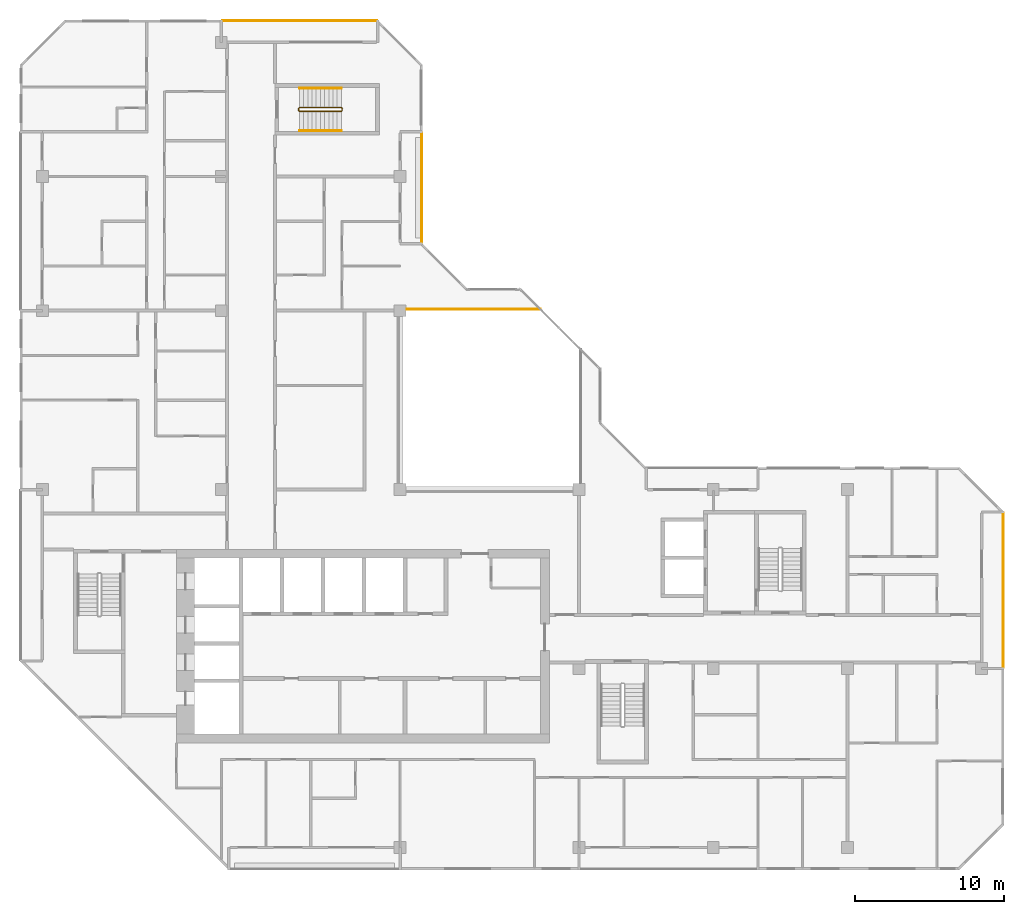
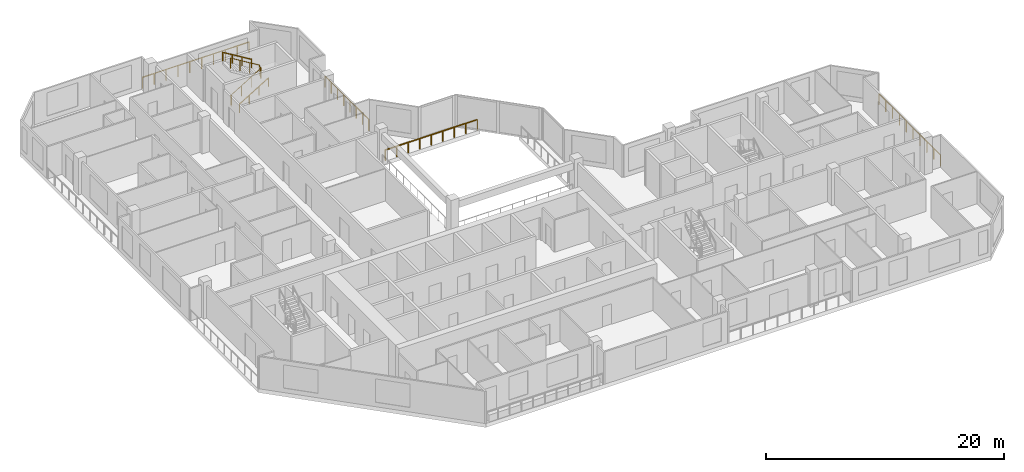
# One storey, part 13 of 13: 7 railings.
"""IFC4 building model written with IfcOpenShell, lengths in metres."""

from ifc_helpers import new_model, si_unit, direction, frame, origin, origin_2d, place, context, subcontext, project, spatial, rectangle, extrude, material, type_object, element, save


model = new_model("IFC4")

# Units and contexts
model_context = context("Model", 3, precision=1e-05, world=origin(), true_north=direction((0.0, 1.0)))
body_context = subcontext(model_context, "Body", "Model", "MODEL_VIEW")
ifc_project = project(units=[si_unit("LENGTHUNIT", "METRE"), si_unit("AREAUNIT", "SQUARE_METRE"), si_unit("VOLUMEUNIT", "CUBIC_METRE"), si_unit("PLANEANGLEUNIT", "RADIAN"), si_unit("MASSUNIT", "GRAM", prefix="KILO")], contexts=[model_context])

# Site, building, storey
site_placement = place(None, origin())
site = spatial("IfcSite", under=ifc_project, at=site_placement, CompositionType="ELEMENT")
building_placement = place(site_placement, origin())
building = spatial("IfcBuilding", under=site, at=building_placement, Name="Chenar Terraces", CompositionType="ELEMENT")
storey_placement = place(building_placement, frame((0.0, 0.0, 318.39990234375)))
storey = spatial("IfcBuildingStorey", under=building, at=storey_placement, Name="L75", CompositionType="ELEMENT", Elevation=318.39990234375)

# Railings
ifc_material_1 = material(Name="Powder-coated steel", Category="steel")
railing_type_1 = type_object("IfcRailingType", Name="Guard 1100 steel rail with glass infill", PredefinedType="GUARDRAIL", material=ifc_material_1)
railing_1_placement = place(storey_placement, frame((24.449951171875, 36.10009765625, 0.0)))
element("IfcRailing", 1, at=railing_1_placement, inside=storey, type_object=railing_type_1, Name="Guard L75-2", PredefinedType="GUARDRAIL", context=body_context, shape_type="SweptSolid", body=[
    extrude(rectangle(XDim=0.06005859375, YDim=0.06005859375, at=origin_2d()), frame((0.0, 0.0, 1.070068359375), z_axis=(1.0, 0.0, 0.0), x_axis=(0.0, 1.0, 0.0)), (0.0, 0.0, 1.0), 8.949951171875),
    extrude(rectangle(XDim=0.050048828125, YDim=0.050048828125, at=origin_2d()), origin(), (0.0, 0.0, 1.0), 1.0400390625),
    extrude(rectangle(XDim=0.050048828125, YDim=0.050048828125, at=origin_2d()), frame((1.11865234375, 0.0, 0.0)), (0.0, 0.0, 1.0), 1.0400390625),
    extrude(rectangle(XDim=0.050048828125, YDim=0.050048828125, at=origin_2d()), frame((2.237548828125, 0.0, 0.0)), (0.0, 0.0, 1.0), 1.0400390625),
    extrude(rectangle(XDim=0.050048828125, YDim=0.050048828125, at=origin_2d()), frame((3.356201171875, 0.0, 0.0)), (0.0, 0.0, 1.0), 1.0400390625),
    extrude(rectangle(XDim=0.050048828125, YDim=0.050048828125, at=origin_2d()), frame((4.47509765625, 0.0, 0.0)), (0.0, 0.0, 1.0), 1.0400390625),
    extrude(rectangle(XDim=0.050048828125, YDim=0.050048828125, at=origin_2d()), frame((5.59375, 0.0, 0.0)), (0.0, 0.0, 1.0), 1.0400390625),
    extrude(rectangle(XDim=0.050048828125, YDim=0.050048828125, at=origin_2d()), frame((6.71240234375, 0.0, 0.0)), (0.0, 0.0, 1.0), 1.0400390625),
    extrude(rectangle(XDim=0.050048828125, YDim=0.050048828125, at=origin_2d()), frame((7.831298828125, 0.0, 0.0)), (0.0, 0.0, 1.0), 1.0400390625),
    extrude(rectangle(XDim=0.050048828125, YDim=0.050048828125, at=origin_2d()), frame((8.949951171875, 0.0, 0.0)), (0.0, 0.0, 1.0), 1.0400390625),
])
ifc_material_2 = material(Name="Stainless steel and glass", Category="steel")
railing_type_2 = type_object("IfcRailingType", Name="Loggia guard 1150", PredefinedType="GUARDRAIL", material=ifc_material_2)
railing_2_placement = place(storey_placement, frame((25.449951171875, 40.574951171875, 0.0)))
element("IfcRailing", 2, at=railing_2_placement, inside=storey, type_object=railing_type_2, Name="Loggia guard", PredefinedType="GUARDRAIL", context=body_context, shape_type="SweptSolid", body=[
    extrude(rectangle(XDim=0.048095703125, YDim=0.048095703125, at=origin_2d()), frame((0.0, 0.0, 1.1259765625), z_axis=(0.0, 1.0, 0.0), x_axis=(-1.0, 0.0, 0.0)), (0.0, 0.0, 1.0), 7.35009765625),
    extrude(rectangle(XDim=0.0419921875, YDim=0.0419921875, at=origin_2d()), origin(), (0.0, 0.0, 1.0), 1.101806640625),
    extrude(rectangle(XDim=0.0419921875, YDim=0.0419921875, at=origin_2d()), frame((0.0, 1.050048828125, 0.0)), (0.0, 0.0, 1.0), 1.101806640625),
    extrude(rectangle(XDim=0.0419921875, YDim=0.0419921875, at=origin_2d()), frame((0.0, 2.10009765625, 0.0)), (0.0, 0.0, 1.0), 1.101806640625),
    extrude(rectangle(XDim=0.0419921875, YDim=0.0419921875, at=origin_2d()), frame((0.0, 3.150146484375, 0.0)), (0.0, 0.0, 1.0), 1.101806640625),
    extrude(rectangle(XDim=0.0419921875, YDim=0.0419921875, at=origin_2d()), frame((0.0, 4.199951171875, 0.0)), (0.0, 0.0, 1.0), 1.101806640625),
    extrude(rectangle(XDim=0.0419921875, YDim=0.0419921875, at=origin_2d()), frame((0.0, 5.25, 0.0)), (0.0, 0.0, 1.0), 1.101806640625),
    extrude(rectangle(XDim=0.0419921875, YDim=0.0419921875, at=origin_2d()), frame((0.0, 6.300048828125, 0.0)), (0.0, 0.0, 1.0), 1.101806640625),
    extrude(rectangle(XDim=0.0419921875, YDim=0.0419921875, at=origin_2d()), frame((0.0, 7.35009765625, 0.0)), (0.0, 0.0, 1.0), 1.101806640625),
])
railing_3_placement = place(storey_placement, frame((64.449951171875, 12.074951171875, 0.0)))
element("IfcRailing", 3, at=railing_3_placement, inside=storey, type_object=railing_type_2, Name="Loggia guard", PredefinedType="GUARDRAIL", context=body_context, shape_type="SweptSolid", body=[
    extrude(rectangle(XDim=0.048095703125, YDim=0.048095703125, at=origin_2d()), frame((0.0, 0.0, 1.1259765625), z_axis=(0.0, 1.0, 0.0), x_axis=(-1.0, 0.0, 0.0)), (0.0, 0.0, 1.0), 10.35009765625),
    extrude(rectangle(XDim=0.0419921875, YDim=0.0419921875, at=origin_2d()), origin(), (0.0, 0.0, 1.0), 1.101806640625),
    extrude(rectangle(XDim=0.0419921875, YDim=0.0419921875, at=origin_2d()), frame((0.0, 1.14990234375, 0.0)), (0.0, 0.0, 1.0), 1.101806640625),
    extrude(rectangle(XDim=0.0419921875, YDim=0.0419921875, at=origin_2d()), frame((0.0, 2.300048828125, 0.0)), (0.0, 0.0, 1.0), 1.101806640625),
    extrude(rectangle(XDim=0.0419921875, YDim=0.0419921875, at=origin_2d()), frame((0.0, 3.449951171875, 0.0)), (0.0, 0.0, 1.0), 1.101806640625),
    extrude(rectangle(XDim=0.0419921875, YDim=0.0419921875, at=origin_2d()), frame((0.0, 4.60009765625, 0.0)), (0.0, 0.0, 1.0), 1.101806640625),
    extrude(rectangle(XDim=0.0419921875, YDim=0.0419921875, at=origin_2d()), frame((0.0, 5.75, 0.0)), (0.0, 0.0, 1.0), 1.101806640625),
    extrude(rectangle(XDim=0.0419921875, YDim=0.0419921875, at=origin_2d()), frame((0.0, 6.900146484375, 0.0)), (0.0, 0.0, 1.0), 1.101806640625),
    extrude(rectangle(XDim=0.0419921875, YDim=0.0419921875, at=origin_2d()), frame((0.0, 8.050048828125, 0.0)), (0.0, 0.0, 1.0), 1.101806640625),
    extrude(rectangle(XDim=0.0419921875, YDim=0.0419921875, at=origin_2d()), frame((0.0, 9.2001953125, 0.0)), (0.0, 0.0, 1.0), 1.101806640625),
    extrude(rectangle(XDim=0.0419921875, YDim=0.0419921875, at=origin_2d()), frame((0.0, 10.35009765625, 0.0)), (0.0, 0.0, 1.0), 1.101806640625),
])
railing_4_placement = place(storey_placement, frame((22.425048828125, 55.449951171875, 0.0)))
element("IfcRailing", 4, at=railing_4_placement, inside=storey, type_object=railing_type_2, Name="Loggia guard", PredefinedType="GUARDRAIL", context=body_context, shape_type="SweptSolid", body=[
    extrude(rectangle(XDim=0.048095703125, YDim=0.048095703125, at=origin_2d()), frame((0.0, 0.0, 1.1259765625), z_axis=(-1.0, 0.0, 0.0), x_axis=(0.0, -1.0, 0.0)), (0.0, 0.0, 1.0), 10.35009765625),
    extrude(rectangle(XDim=0.0419921875, YDim=0.0419921875, at=origin_2d()), origin(), (0.0, 0.0, 1.0), 1.101806640625),
    extrude(rectangle(XDim=0.0419921875, YDim=0.0419921875, at=origin_2d()), frame((-1.14990234375, 0.0, 0.0)), (0.0, 0.0, 1.0), 1.101806640625),
    extrude(rectangle(XDim=0.0419921875, YDim=0.0419921875, at=origin_2d()), frame((-2.300048828125, 0.0, 0.0)), (0.0, 0.0, 1.0), 1.101806640625),
    extrude(rectangle(XDim=0.0419921875, YDim=0.0419921875, at=origin_2d()), frame((-3.449951171875, 0.0, 0.0)), (0.0, 0.0, 1.0), 1.101806640625),
    extrude(rectangle(XDim=0.0419921875, YDim=0.0419921875, at=origin_2d()), frame((-4.60009765625, 0.0, 0.0)), (0.0, 0.0, 1.0), 1.101806640625),
    extrude(rectangle(XDim=0.0419921875, YDim=0.0419921875, at=origin_2d()), frame((-5.75, 0.0, 0.0)), (0.0, 0.0, 1.0), 1.101806640625),
    extrude(rectangle(XDim=0.0419921875, YDim=0.0419921875, at=origin_2d()), frame((-6.900146484375, 0.0, 0.0)), (0.0, 0.0, 1.0), 1.101806640625),
    extrude(rectangle(XDim=0.0419921875, YDim=0.0419921875, at=origin_2d()), frame((-8.050048828125, 0.0, 0.0)), (0.0, 0.0, 1.0), 1.101806640625),
    extrude(rectangle(XDim=0.0419921875, YDim=0.0419921875, at=origin_2d()), frame((-9.2001953125, 0.0, 0.0)), (0.0, 0.0, 1.0), 1.101806640625),
    extrude(rectangle(XDim=0.0419921875, YDim=0.0419921875, at=origin_2d()), frame((-10.35009765625, 0.0, 0.0)), (0.0, 0.0, 1.0), 1.101806640625),
])
ifc_material_3 = material(Name="Powder-coated steel", Category="steel")
railing_type_3 = type_object("IfcRailingType", Name="Stair guard 1100", PredefinedType="GUARDRAIL", material=ifc_material_3)
railing_5_placement = place(storey_placement, frame((17.25, 49.625, 3.75)))
element("IfcRailing", 5, at=railing_5_placement, inside=storey, type_object=railing_type_3, Name="L75 ST4 stair guard 1", PredefinedType="GUARDRAIL", context=body_context, shape_type="SweptSolid", body=[
    extrude(rectangle(XDim=0.048095703125, YDim=0.048095703125, at=origin_2d()), frame((0.0, 0.0, 1.076171875), z_axis=(0.854202870247, 0.0, -0.519939858505), x_axis=(0.0, 1.0, 0.0)), (0.0, 0.0, 1.0), 3.278076171875),
    extrude(rectangle(XDim=0.048095703125, YDim=0.048095703125, at=origin_2d()), frame((2.800048828125, 0.0, -0.62841796875), z_axis=(0.270899902878, -0.270899902878, -0.923702595667), x_axis=(0.707106781187, 0.707106781187, 0.0)), (0.0, 0.0, 1.0), 0.184814453125),
    extrude(rectangle(XDim=0.048095703125, YDim=0.048095703125, at=origin_2d()), frame((2.85009765625, -0.050048828125, -0.798828125), z_axis=(0.0, -1.0, 0.0), x_axis=(1.0, 0.0, 0.0)), (0.0, 0.0, 1.0), 0.14990234375),
    extrude(rectangle(XDim=0.048095703125, YDim=0.048095703125, at=origin_2d()), frame((2.85009765625, -0.199951171875, -0.798828125), z_axis=(-0.707106781187, -0.707106781187, 0.0), x_axis=(0.707106781187, -0.707106781187, 0.0)), (0.0, 0.0, 1.0), 0.07080078125),
    extrude(rectangle(XDim=0.048095703125, YDim=0.048095703125, at=origin_2d()), frame((2.800048828125, -0.25, -0.798828125), z_axis=(-0.854202870247, 0.0, -0.519939858505), x_axis=(0.0, -1.0, 0.0)), (0.0, 0.0, 1.0), 3.278076171875),
    extrude(rectangle(XDim=0.048095703125, YDim=0.048095703125, at=origin_2d()), frame((0.0, -0.25, -2.50341796875), z_axis=(-0.270899902878, 0.270899902878, -0.923702595667), x_axis=(-0.707106781187, -0.707106781187, 0.0)), (0.0, 0.0, 1.0), 0.184814453125),
    extrude(rectangle(XDim=0.048095703125, YDim=0.048095703125, at=origin_2d()), frame((-0.050048828125, -0.199951171875, -2.673828125), z_axis=(0.0, 1.0, 0.0), x_axis=(-1.0, 0.0, 0.0)), (0.0, 0.0, 1.0), 0.14990234375),
    extrude(rectangle(XDim=0.0419921875, YDim=0.0419921875, at=origin_2d()), origin(), (0.0, 0.0, 1.0), 1.052001953125),
    extrude(rectangle(XDim=0.0419921875, YDim=0.0419921875, at=origin_2d()), frame((0.933349609375, 0.0, -0.568115234375)), (0.0, 0.0, 1.0), 1.052001953125),
    extrude(rectangle(XDim=0.0419921875, YDim=0.0419921875, at=origin_2d()), frame((1.86669921875, 0.0, -1.13623046875)), (0.0, 0.0, 1.0), 1.052001953125),
    extrude(rectangle(XDim=0.0419921875, YDim=0.0419921875, at=origin_2d()), frame((2.800048828125, 0.0, -1.704345703125)), (0.0, 0.0, 1.0), 1.052001953125),
    extrude(rectangle(XDim=0.0419921875, YDim=0.0419921875, at=origin_2d()), frame((2.85009765625, -0.050048828125, -1.875)), (0.0, 0.0, 1.0), 1.052001953125),
    extrude(rectangle(XDim=0.0419921875, YDim=0.0419921875, at=origin_2d()), frame((2.85009765625, -0.199951171875, -1.875)), (0.0, 0.0, 1.0), 1.052001953125),
    extrude(rectangle(XDim=0.0419921875, YDim=0.0419921875, at=origin_2d()), frame((2.800048828125, -0.25, -1.875)), (0.0, 0.0, 1.0), 1.052001953125),
    extrude(rectangle(XDim=0.0419921875, YDim=0.0419921875, at=origin_2d()), frame((1.86669921875, -0.25, -2.443115234375)), (0.0, 0.0, 1.0), 1.052001953125),
    extrude(rectangle(XDim=0.0419921875, YDim=0.0419921875, at=origin_2d()), frame((0.933349609375, -0.25, -3.01123046875)), (0.0, 0.0, 1.0), 1.052001953125),
    extrude(rectangle(XDim=0.0419921875, YDim=0.0419921875, at=origin_2d()), frame((0.0, -0.25, -3.579345703125)), (0.0, 0.0, 1.0), 1.052001953125),
    extrude(rectangle(XDim=0.0419921875, YDim=0.0419921875, at=origin_2d()), frame((-0.050048828125, -0.199951171875, -3.75)), (0.0, 0.0, 1.0), 1.052001953125),
    extrude(rectangle(XDim=0.0419921875, YDim=0.0419921875, at=origin_2d()), frame((-0.050048828125, -0.050048828125, -3.75)), (0.0, 0.0, 1.0), 1.052001953125),
])
ifc_material_4 = material(Name="Powder-coated steel", Category="steel")
railing_type_4 = type_object("IfcRailingType", Name="Stair handrail 900", PredefinedType="HANDRAIL", material=ifc_material_4)
railing_6_placement = place(storey_placement, frame((17.25, 48.074951171875, 0.170654296875)))
element("IfcRailing", 6, at=railing_6_placement, inside=storey, type_object=railing_type_4, Name="L75 ST4 stair handrail 1", PredefinedType="HANDRAIL", context=body_context, shape_type="SweptSolid", body=[
    extrude(rectangle(XDim=0.048095703125, YDim=0.048095703125, at=origin_2d()), frame((0.0, 0.0, 0.8759765625), z_axis=(0.854202870247, 0.0, 0.519939858505), x_axis=(0.0, 1.0, 0.0)), (0.0, 0.0, 1.0), 3.278076171875),
    extrude(rectangle(XDim=0.0419921875, YDim=0.0419921875, at=origin_2d()), origin(), (0.0, 0.0, 1.0), 0.851806640625),
    extrude(rectangle(XDim=0.0419921875, YDim=0.0419921875, at=origin_2d()), frame((0.933349609375, 0.0, 0.568115234375)), (0.0, 0.0, 1.0), 0.851806640625),
    extrude(rectangle(XDim=0.0419921875, YDim=0.0419921875, at=origin_2d()), frame((1.86669921875, 0.0, 1.13623046875)), (0.0, 0.0, 1.0), 0.851806640625),
    extrude(rectangle(XDim=0.0419921875, YDim=0.0419921875, at=origin_2d()), frame((2.800048828125, 0.0, 1.704345703125)), (0.0, 0.0, 1.0), 0.851806640625),
])
railing_7_placement = place(storey_placement, frame((20.050048828125, 50.925048828125, 2.045654296875)))
element("IfcRailing", 7, at=railing_7_placement, inside=storey, type_object=railing_type_4, Name="L75 ST4 stair handrail 2", PredefinedType="HANDRAIL", context=body_context, shape_type="SweptSolid", body=[
    extrude(rectangle(XDim=0.048095703125, YDim=0.048095703125, at=origin_2d()), frame((0.0, 0.0, 0.8759765625), z_axis=(-0.854202870247, 0.0, 0.519939858505), x_axis=(0.0, -1.0, 0.0)), (0.0, 0.0, 1.0), 3.278076171875),
    extrude(rectangle(XDim=0.0419921875, YDim=0.0419921875, at=origin_2d()), origin(), (0.0, 0.0, 1.0), 0.851806640625),
    extrude(rectangle(XDim=0.0419921875, YDim=0.0419921875, at=origin_2d()), frame((-0.933349609375, 0.0, 0.568115234375)), (0.0, 0.0, 1.0), 0.851806640625),
    extrude(rectangle(XDim=0.0419921875, YDim=0.0419921875, at=origin_2d()), frame((-1.86669921875, 0.0, 1.13623046875)), (0.0, 0.0, 1.0), 0.851806640625),
    extrude(rectangle(XDim=0.0419921875, YDim=0.0419921875, at=origin_2d()), frame((-2.800048828125, 0.0, 1.704345703125)), (0.0, 0.0, 1.0), 0.851806640625),
])

save(model, "model.ifc")
